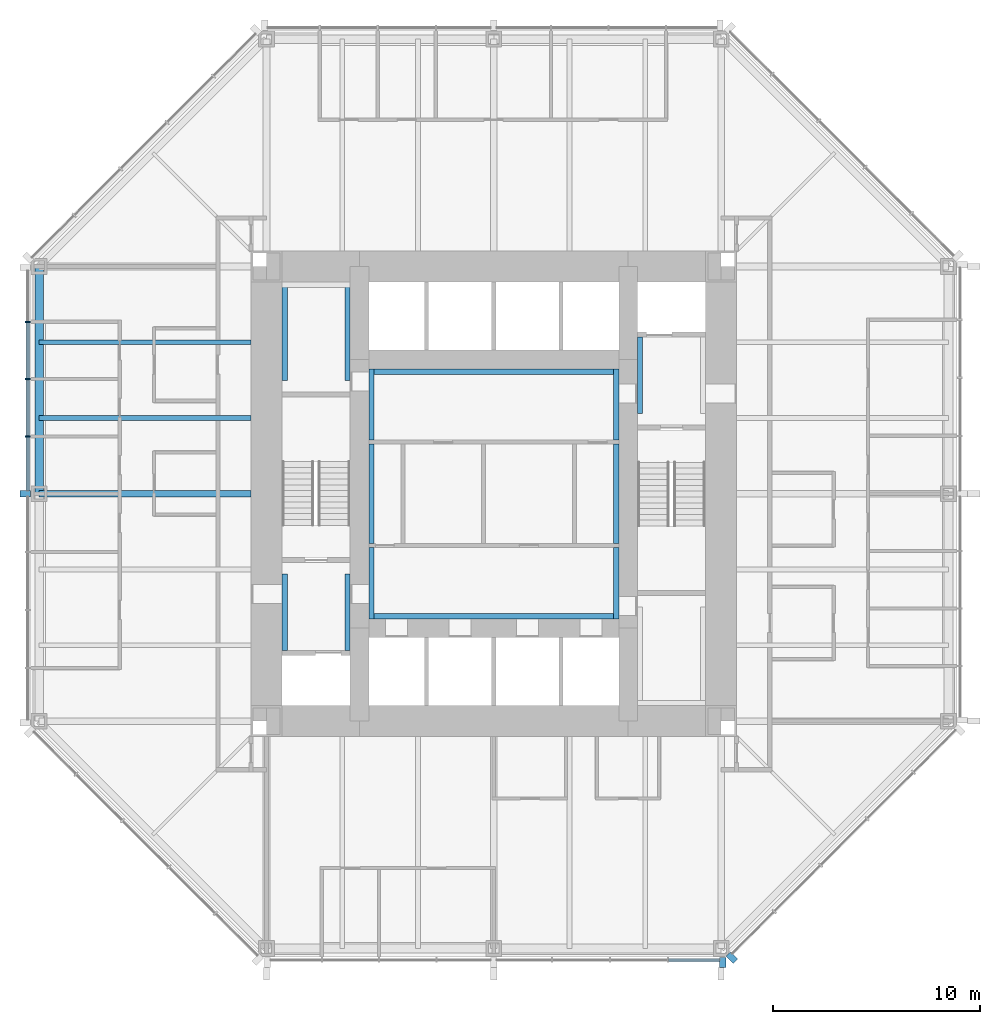
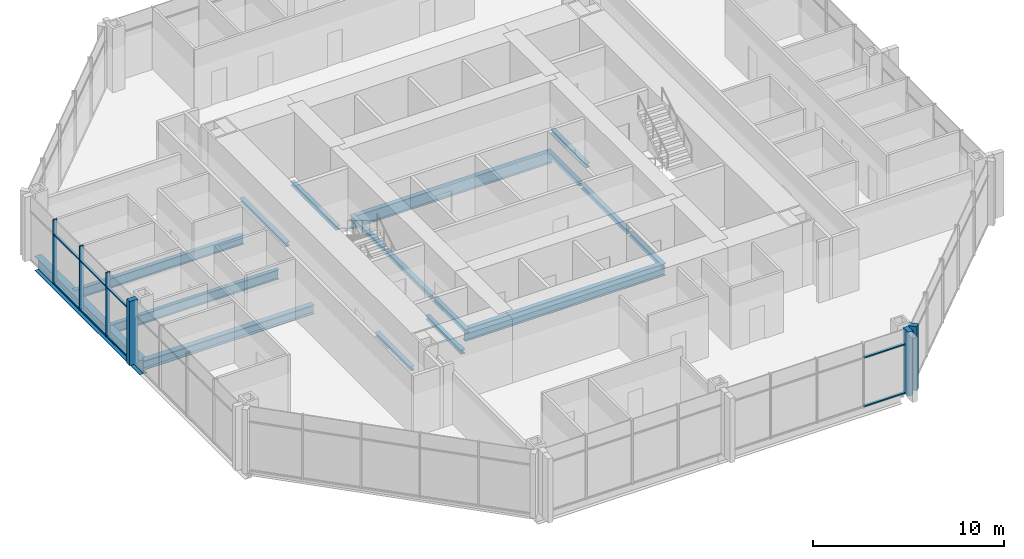
# One storey, part 3 of 12: 17 beams, 14 members, 3 elements without a shape of their own.
"""IFC4 building model written with IfcOpenShell, lengths in metres."""

from ifc_helpers import new_model, si_unit, direction, frame, origin, origin_2d, place, context, subcontext, project, spatial, rectangle, i_section, extrude, material, material_profile, profile_set, type_object, element, aggregate, save


model = new_model("IFC4")

# Units and contexts
model_context = context("Model", 3, precision=1e-05, world=origin(), true_north=direction((0.0, 1.0)))
body_context = subcontext(model_context, "Body", "Model", "MODEL_VIEW")
ifc_project = project(units=[si_unit("LENGTHUNIT", "METRE"), si_unit("AREAUNIT", "SQUARE_METRE"), si_unit("VOLUMEUNIT", "CUBIC_METRE"), si_unit("PLANEANGLEUNIT", "RADIAN"), si_unit("MASSUNIT", "GRAM", prefix="KILO")], contexts=[model_context])

# Site, building, storey
site_placement = place(None, origin())
site = spatial("IfcSite", under=ifc_project, at=site_placement, CompositionType="ELEMENT")
building_placement = place(site_placement, origin())
building = spatial("IfcBuilding", under=site, at=building_placement, Name="Trevanion Tower", CompositionType="ELEMENT")
storey_placement = place(building_placement, frame((0.0, 0.0, 121.300048828125)))
storey = spatial("IfcBuildingStorey", under=building, at=storey_placement, Name="L28", CompositionType="ELEMENT", Elevation=121.300048828125)

# Beams
ifc_material_1 = material(Name="Steel ASTM A992 Grade 50", Category="steel")
ifc_material_profile_1 = material_profile(ifc_material_1, i_section(OverallWidth=0.22900390625, OverallDepth=0.612060546875, WebThickness=0.011962890625, FlangeThickness=0.01953125, at=origin_2d()), Name="W24X84")
ifc_profile_set_1 = profile_set([ifc_material_profile_1], Name="Steel ASTM A992 Grade 50")
beam_type_1 = type_object("IfcBeamType", Name="B7 W24X84", PredefinedType="BEAM", material=ifc_profile_set_1)
for number, where, z_axis, x_axis, name in (
    (1, (-11.75, 7.333251953125, -0.49609375), (-1.0, 0.0, 0.0), (0.0, -1.0, 0.0), "B7 L28"),
    (2, (-11.75, 3.666748046875, -0.49609375), (-1.0, 0.0, 0.0), (0.0, -1.0, 0.0), "B7 L28"),
):
    element("IfcBeam", number, at=place(storey_placement, frame(where, z_axis=z_axis, x_axis=x_axis)), inside=storey, type_object=beam_type_1, Name=name, PredefinedType="BEAM", context=body_context, shape_type="SweptSolid", body=[
        extrude(i_section(OverallWidth=0.22900390625, OverallDepth=0.612060546875, WebThickness=0.011962890625, FlangeThickness=0.01953125, at=origin_2d()), origin(), (0.0, 0.0, 1.0), 10.25),
    ])

# Curtain wall, members
ifc_material_2 = material(Name="Aluminium and glass", Category="aluminium")
curtain_wall_type = type_object("IfcCurtainWallType", Name="CW2 curtain wall", PredefinedType="USERDEFINED", material=ifc_material_2)
curtain_wall_1_placement = place(storey_placement, origin())
curtain_wall_1 = element("IfcCurtainWall", 3, at=curtain_wall_1_placement, inside=storey, type_object=curtain_wall_type, Name="CW2 L28 4", ObjectType="UNITISED CURTAIN WALL", PredefinedType="USERDEFINED")
ifc_material_3 = material(Name="Aluminium extrusion, anodised bronze", Category="aluminium")
ifc_material_profile_2 = material_profile(ifc_material_3, rectangle(XDim=0.074951171875, YDim=0.25, at=origin_2d()), Name="CW2 mullion")
ifc_profile_set_2 = profile_set([ifc_material_profile_2], Name="Aluminium extrusion, anodised bronze")
member_type_1 = type_object("IfcMemberType", Name="CW2 mullion", PredefinedType="MULLION", material=ifc_profile_set_2)
member_1_placement = place(storey_placement, frame((-22.550048828125, 8.323486328125, -0.18994140625), z_axis=(0.0, 0.0, 1.0), x_axis=(0.0, -1.0, 0.0)))
member_1 = element("IfcMember", 4, at=member_1_placement, type_object=member_type_1, Name="CW2 mullion 2", PredefinedType="MULLION", context=body_context, shape_type="SweptSolid", body=[
    extrude(rectangle(XDim=0.074951171875, YDim=0.25, at=origin_2d()), origin(), (0.0, 0.0, 1.0), 4.099853515625),
])
member_2_placement = place(storey_placement, frame((-22.550048828125, 5.548828125, -0.18994140625), z_axis=(0.0, 0.0, 1.0), x_axis=(0.0, -1.0, 0.0)))
member_2 = element("IfcMember", 5, at=member_2_placement, type_object=member_type_1, Name="CW2 mullion 3", PredefinedType="MULLION", context=body_context, shape_type="SweptSolid", body=[
    extrude(rectangle(XDim=0.074951171875, YDim=0.25, at=origin_2d()), origin(), (0.0, 0.0, 1.0), 4.099853515625),
])
member_3_placement = place(storey_placement, frame((-22.550048828125, 2.7744140625, -0.18994140625), z_axis=(0.0, 0.0, 1.0), x_axis=(0.0, -1.0, 0.0)))
member_3 = element("IfcMember", 6, at=member_3_placement, type_object=member_type_1, Name="CW2 mullion 4", PredefinedType="MULLION", context=body_context, shape_type="SweptSolid", body=[
    extrude(rectangle(XDim=0.074951171875, YDim=0.25, at=origin_2d()), origin(), (0.0, 0.0, 1.0), 4.099853515625),
])
ifc_material_4 = material(Name="Aluminium extrusion, anodised bronze", Category="aluminium")
ifc_material_profile_3 = material_profile(ifc_material_4, rectangle(XDim=0.300048828125, YDim=0.5, at=origin_2d()), Name="CW2 pier mullion")
ifc_profile_set_3 = profile_set([ifc_material_profile_3], Name="Aluminium extrusion, anodised bronze")
member_type_2 = type_object("IfcMemberType", Name="CW2 pier mullion", PredefinedType="MULLION", material=ifc_profile_set_3)
member_4_placement = place(storey_placement, frame((-22.675048828125, 0.0, -0.18994140625), z_axis=(0.0, 0.0, 1.0), x_axis=(0.0, -1.0, 0.0)))
member_4 = element("IfcMember", 7, at=member_4_placement, type_object=member_type_2, Name="CW2 pier mullion 5", PredefinedType="MULLION", context=body_context, shape_type="SweptSolid", body=[
    extrude(rectangle(XDim=0.300048828125, YDim=0.5, at=origin_2d()), origin(), (0.0, 0.0, 1.0), 4.099853515625),
])

# Curtain wall, member
curtain_wall_2_placement = place(storey_placement, origin())
curtain_wall_2 = element("IfcCurtainWall", 8, at=curtain_wall_2_placement, inside=storey, type_object=curtain_wall_type, Name="CW2 L28 6", ObjectType="UNITISED CURTAIN WALL", PredefinedType="USERDEFINED")
member_5_placement = place(storey_placement, frame((11.077880859375, -22.675048828125, -0.18994140625), z_axis=(0.0, 0.0, 1.0), x_axis=(1.0, 0.0, 0.0)))
member_5 = element("IfcMember", 9, at=member_5_placement, type_object=member_type_2, Name="CW2 pier mullion 9", PredefinedType="MULLION", context=body_context, shape_type="SweptSolid", body=[
    extrude(rectangle(XDim=0.300048828125, YDim=0.5, at=origin_2d()), origin(), (0.0, 0.0, 1.0), 4.099853515625),
])

curtain_wall_3_placement = place(storey_placement, origin())
curtain_wall_3 = element("IfcCurtainWall", 10, at=curtain_wall_3_placement, inside=storey, type_object=curtain_wall_type, Name="CW2 L28 7", ObjectType="UNITISED CURTAIN WALL", PredefinedType="USERDEFINED")
member_6_placement = place(storey_placement, frame((11.51416015625, -22.4404296875, -0.18994140625), z_axis=(0.0, 0.0, 1.0), x_axis=(0.707106781187, 0.707106781187, 0.0)))
member_6 = element("IfcMember", 11, at=member_6_placement, type_object=member_type_2, Name="CW2 pier mullion 1", PredefinedType="MULLION", context=body_context, shape_type="SweptSolid", body=[
    extrude(rectangle(XDim=0.300048828125, YDim=0.5, at=origin_2d()), origin(), (0.0, 0.0, 1.0), 4.099853515625),
])
aggregate(curtain_wall_3, [member_6])

# Member
ifc_material_5 = material(Name="Aluminium extrusion, anodised bronze", Category="aluminium")
ifc_material_profile_4 = material_profile(ifc_material_5, rectangle(XDim=0.14990234375, YDim=0.074951171875, at=origin_2d()), Name="CW2 transom")
ifc_profile_set_4 = profile_set([ifc_material_profile_4], Name="Aluminium extrusion, anodised bronze")
member_type_3 = type_object("IfcMemberType", Name="CW2 transom", PredefinedType="USERDEFINED", material=ifc_profile_set_4)
member_7_placement = place(storey_placement, frame((-22.550048828125, 8.285888671875, -0.152587890625), z_axis=(0.0, -1.0, 0.0), x_axis=(1.0, 0.0, 0.0)))
member_7 = element("IfcMember", 12, at=member_7_placement, type_object=member_type_3, Name="CW2 transom 2.1", ObjectType="TRANSOM", PredefinedType="USERDEFINED", context=body_context, shape_type="SweptSolid", body=[
    extrude(rectangle(XDim=0.14990234375, YDim=0.074951171875, at=origin_2d()), origin(), (0.0, 0.0, 1.0), 2.699462890625),
])

member_8_placement = place(storey_placement, frame((-22.550048828125, 8.285888671875, 2.9599609375), z_axis=(0.0, -1.0, 0.0), x_axis=(1.0, 0.0, 0.0)))
member_8 = element("IfcMember", 13, at=member_8_placement, type_object=member_type_3, Name="CW2 transom 2.2", ObjectType="TRANSOM", PredefinedType="USERDEFINED", context=body_context, shape_type="SweptSolid", body=[
    extrude(rectangle(XDim=0.14990234375, YDim=0.074951171875, at=origin_2d()), origin(), (0.0, 0.0, 1.0), 2.699462890625),
])

member_9_placement = place(storey_placement, frame((-22.550048828125, 5.511474609375, -0.152587890625), z_axis=(0.0, -1.0, 0.0), x_axis=(1.0, 0.0, 0.0)))
member_9 = element("IfcMember", 14, at=member_9_placement, type_object=member_type_3, Name="CW2 transom 3.1", ObjectType="TRANSOM", PredefinedType="USERDEFINED", context=body_context, shape_type="SweptSolid", body=[
    extrude(rectangle(XDim=0.14990234375, YDim=0.074951171875, at=origin_2d()), origin(), (0.0, 0.0, 1.0), 2.699462890625),
])

member_10_placement = place(storey_placement, frame((-22.550048828125, 5.511474609375, 2.9599609375), z_axis=(0.0, -1.0, 0.0), x_axis=(1.0, 0.0, 0.0)))
member_10 = element("IfcMember", 15, at=member_10_placement, type_object=member_type_3, Name="CW2 transom 3.2", ObjectType="TRANSOM", PredefinedType="USERDEFINED", context=body_context, shape_type="SweptSolid", body=[
    extrude(rectangle(XDim=0.14990234375, YDim=0.074951171875, at=origin_2d()), origin(), (0.0, 0.0, 1.0), 2.699462890625),
])

member_11_placement = place(storey_placement, frame((-22.550048828125, 2.737060546875, -0.152587890625), z_axis=(0.0, -1.0, 0.0), x_axis=(1.0, 0.0, 0.0)))
member_11 = element("IfcMember", 16, at=member_11_placement, type_object=member_type_3, Name="CW2 transom 4.1", ObjectType="TRANSOM", PredefinedType="USERDEFINED", context=body_context, shape_type="SweptSolid", body=[
    extrude(rectangle(XDim=0.14990234375, YDim=0.074951171875, at=origin_2d()), origin(), (0.0, 0.0, 1.0), 2.587158203125),
])

member_12_placement = place(storey_placement, frame((-22.550048828125, 2.737060546875, 2.9599609375), z_axis=(0.0, -1.0, 0.0), x_axis=(1.0, 0.0, 0.0)))
member_12 = element("IfcMember", 17, at=member_12_placement, type_object=member_type_3, Name="CW2 transom 4.2", ObjectType="TRANSOM", PredefinedType="USERDEFINED", context=body_context, shape_type="SweptSolid", body=[
    extrude(rectangle(XDim=0.14990234375, YDim=0.074951171875, at=origin_2d()), origin(), (0.0, 0.0, 1.0), 2.587158203125),
])

aggregate(curtain_wall_1, [member_1, member_2, member_3, member_4, member_7, member_8, member_9, member_10, member_11, member_12])

member_13_placement = place(storey_placement, frame((8.45849609375, -22.550048828125, -0.152587890625), z_axis=(1.0, 0.0, 0.0), x_axis=(0.0, 1.0, 0.0)))
member_13 = element("IfcMember", 18, at=member_13_placement, type_object=member_type_3, Name="CW2 transom 8.1", ObjectType="TRANSOM", PredefinedType="USERDEFINED", context=body_context, shape_type="SweptSolid", body=[
    extrude(rectangle(XDim=0.14990234375, YDim=0.074951171875, at=origin_2d()), origin(), (0.0, 0.0, 1.0), 2.46923828125),
])

member_14_placement = place(storey_placement, frame((8.45849609375, -22.550048828125, 2.9599609375), z_axis=(1.0, 0.0, 0.0), x_axis=(0.0, 1.0, 0.0)))
member_14 = element("IfcMember", 19, at=member_14_placement, type_object=member_type_3, Name="CW2 transom 8.2", ObjectType="TRANSOM", PredefinedType="USERDEFINED", context=body_context, shape_type="SweptSolid", body=[
    extrude(rectangle(XDim=0.14990234375, YDim=0.074951171875, at=origin_2d()), origin(), (0.0, 0.0, 1.0), 2.46923828125),
])

aggregate(curtain_wall_2, [member_5, member_13, member_14])

# Beams
ifc_material_6 = material(Name="Steel ASTM A992 Grade 50", Category="steel")
ifc_material_profile_5 = material_profile(ifc_material_6, i_section(OverallWidth=0.320068359375, OverallDepth=0.584228515625, WebThickness=0.023193359375, FlangeThickness=0.04150390625, at=origin_2d()), Name="W21X201")
ifc_profile_set_5 = profile_set([ifc_material_profile_5], Name="Steel ASTM A992 Grade 50")
beam_type_2 = type_object("IfcBeamType", Name="G4 W21X201", PredefinedType="BEAM", material=ifc_profile_set_5)
beam_1_placement = place(storey_placement, frame((-11.75, 0.0, -0.482177734375), z_axis=(-1.0, 0.0, 0.0), x_axis=(0.0, -1.0, 0.0)))
element("IfcBeam", 20, at=beam_1_placement, inside=storey, type_object=beam_type_2, Name="G4 L28", PredefinedType="BEAM", context=body_context, shape_type="SweptSolid", body=[
    extrude(i_section(OverallWidth=0.320068359375, OverallDepth=0.584228515625, WebThickness=0.023193359375, FlangeThickness=0.04150390625, at=origin_2d()), origin(), (0.0, 0.0, 1.0), 10.25),
])
ifc_material_7 = material(Name="Steel ASTM A992 Grade 50", Category="steel")
ifc_material_profile_6 = material_profile(ifc_material_7, i_section(OverallWidth=0.256591796875, OverallDepth=0.26416015625, WebThickness=0.011962890625, FlangeThickness=0.01953125, at=origin_2d()), Name="W10X68")
ifc_profile_set_6 = profile_set([ifc_material_profile_6], Name="Steel ASTM A992 Grade 50")
beam_type_3 = type_object("IfcBeamType", Name="LB1 W10X68", PredefinedType="BEAM", material=ifc_profile_set_6)
for number, where, z_axis, x_axis, name in (
    (21, (-5.921630859375, 2.60009765625, -0.33203125), (0.0, 1.0, 0.0), (-1.0, 0.0, 0.0), "LB1 L28"),
    (22, (5.921630859375, 2.60009765625, -0.33203125), (0.0, 1.0, 0.0), (-1.0, 0.0, 0.0), "LB1 L28"),
    (23, (-5.921630859375, -6.050048828125, -0.33203125), (0.0, 1.0, 0.0), (-1.0, 0.0, 0.0), "LB1 L28"),
    (24, (5.921630859375, -6.050048828125, -0.33203125), (0.0, 1.0, 0.0), (-1.0, 0.0, 0.0), "LB1 L28"),
):
    element("IfcBeam", number, at=place(storey_placement, frame(where, z_axis=z_axis, x_axis=x_axis)), inside=storey, type_object=beam_type_3, Name=name, PredefinedType="BEAM", context=body_context, shape_type="SweptSolid", body=[
        extrude(i_section(OverallWidth=0.256591796875, OverallDepth=0.26416015625, WebThickness=0.011962890625, FlangeThickness=0.01953125, at=origin_2d()), origin(), (0.0, 0.0, 1.0), 3.449951171875),
    ])
for number, where, z_axis, x_axis, name in (
    (25, (7.078369140625, 3.875, -0.33203125), (0.0, 1.0, 0.0), (-1.0, 0.0, 0.0), "LB1 L28"),
    (26, (-10.12158203125, -7.574951171875, -0.33203125), (0.0, 1.0, 0.0), (-1.0, 0.0, 0.0), "LB1 L28"),
    (27, (-7.078369140625, -7.574951171875, -0.33203125), (0.0, 1.0, 0.0), (-1.0, 0.0, 0.0), "LB1 L28"),
):
    element("IfcBeam", number, at=place(storey_placement, frame(where, z_axis=z_axis, x_axis=x_axis)), inside=storey, type_object=beam_type_3, Name=name, PredefinedType="BEAM", context=body_context, shape_type="SweptSolid", body=[
        extrude(i_section(OverallWidth=0.256591796875, OverallDepth=0.26416015625, WebThickness=0.011962890625, FlangeThickness=0.01953125, at=origin_2d()), origin(), (0.0, 0.0, 1.0), 3.699951171875),
    ])
for number, where, z_axis, x_axis, name in (
    (28, (-10.12158203125, 5.47509765625, -0.33203125), (0.0, 1.0, 0.0), (-1.0, 0.0, 0.0), "LB1 L28"),
    (29, (-7.078369140625, 5.47509765625, -0.33203125), (0.0, 1.0, 0.0), (-1.0, 0.0, 0.0), "LB1 L28"),
):
    element("IfcBeam", number, at=place(storey_placement, frame(where, z_axis=z_axis, x_axis=x_axis)), inside=storey, type_object=beam_type_3, Name=name, PredefinedType="BEAM", context=body_context, shape_type="SweptSolid", body=[
        extrude(i_section(OverallWidth=0.256591796875, OverallDepth=0.26416015625, WebThickness=0.011962890625, FlangeThickness=0.01953125, at=origin_2d()), origin(), (0.0, 0.0, 1.0), 4.77490234375),
    ])
for number, where, z_axis, x_axis, name in (
    (30, (-5.921630859375, -2.39990234375, -0.33203125), (0.0, 1.0, 0.0), (-1.0, 0.0, 0.0), "LB1 L28"),
    (31, (5.921630859375, -2.39990234375, -0.33203125), (0.0, 1.0, 0.0), (-1.0, 0.0, 0.0), "LB1 L28"),
):
    element("IfcBeam", number, at=place(storey_placement, frame(where, z_axis=z_axis, x_axis=x_axis)), inside=storey, type_object=beam_type_3, Name=name, PredefinedType="BEAM", context=body_context, shape_type="SweptSolid", body=[
        extrude(i_section(OverallWidth=0.256591796875, OverallDepth=0.26416015625, WebThickness=0.011962890625, FlangeThickness=0.01953125, at=origin_2d()), origin(), (0.0, 0.0, 1.0), 4.7998046875),
    ])
ifc_material_8 = material(Name="Steel ASTM A992 Grade 50", Category="steel")
ifc_material_profile_7 = material_profile(ifc_material_8, i_section(OverallWidth=0.2666015625, OverallDepth=0.76953125, WebThickness=0.015625, FlangeThickness=0.025390625, at=origin_2d()), Name="W30X132")
ifc_profile_set_7 = profile_set([ifc_material_profile_7], Name="Steel ASTM A992 Grade 50")
beam_type_4 = type_object("IfcBeamType", Name="LB3 W30X132", PredefinedType="BEAM", material=ifc_profile_set_7)
for number, where, z_axis, x_axis, name in (
    (32, (-6.050048828125, 5.91650390625, -0.5849609375), (1.0, 0.0, 0.0), (0.0, 1.0, 0.0), "LB3 L28"),
    (33, (-6.050048828125, -5.91650390625, -0.5849609375), (1.0, 0.0, 0.0), (0.0, 1.0, 0.0), "LB3 L28"),
):
    element("IfcBeam", number, at=place(storey_placement, frame(where, z_axis=z_axis, x_axis=x_axis)), inside=storey, type_object=beam_type_4, Name=name, PredefinedType="BEAM", context=body_context, shape_type="SweptSolid", body=[
        extrude(i_section(OverallWidth=0.2666015625, OverallDepth=0.76953125, WebThickness=0.015625, FlangeThickness=0.025390625, at=origin_2d()), origin(), (0.0, 0.0, 1.0), 12.10009765625),
    ])
ifc_material_9 = material(Name="Steel ASTM A992 Grade 50", Category="steel")
ifc_material_profile_8 = material_profile(ifc_material_9, i_section(OverallWidth=0.419189453125, OverallDepth=0.927001953125, WebThickness=0.019287109375, FlangeThickness=0.031982421875, at=origin_2d()), Name="W36X231")
ifc_profile_set_8 = profile_set([ifc_material_profile_8], Name="Steel ASTM A992 Grade 50")
beam_type_5 = type_object("IfcBeamType", Name="SB4 W36X231", PredefinedType="SPANDREL", material=ifc_profile_set_8)
beam_2_placement = place(storey_placement, frame((-22.0, 11.0, -0.653564453125), z_axis=(0.0, -1.0, 0.0), x_axis=(1.0, 0.0, 0.0)))
element("IfcBeam", 34, at=beam_2_placement, inside=storey, type_object=beam_type_5, Name="SB4 L28", PredefinedType="SPANDREL", context=body_context, shape_type="SweptSolid", body=[
    extrude(i_section(OverallWidth=0.419189453125, OverallDepth=0.927001953125, WebThickness=0.019287109375, FlangeThickness=0.031982421875, at=origin_2d()), origin(), (0.0, 0.0, 1.0), 11.0),
])

save(model, "model.ifc")
